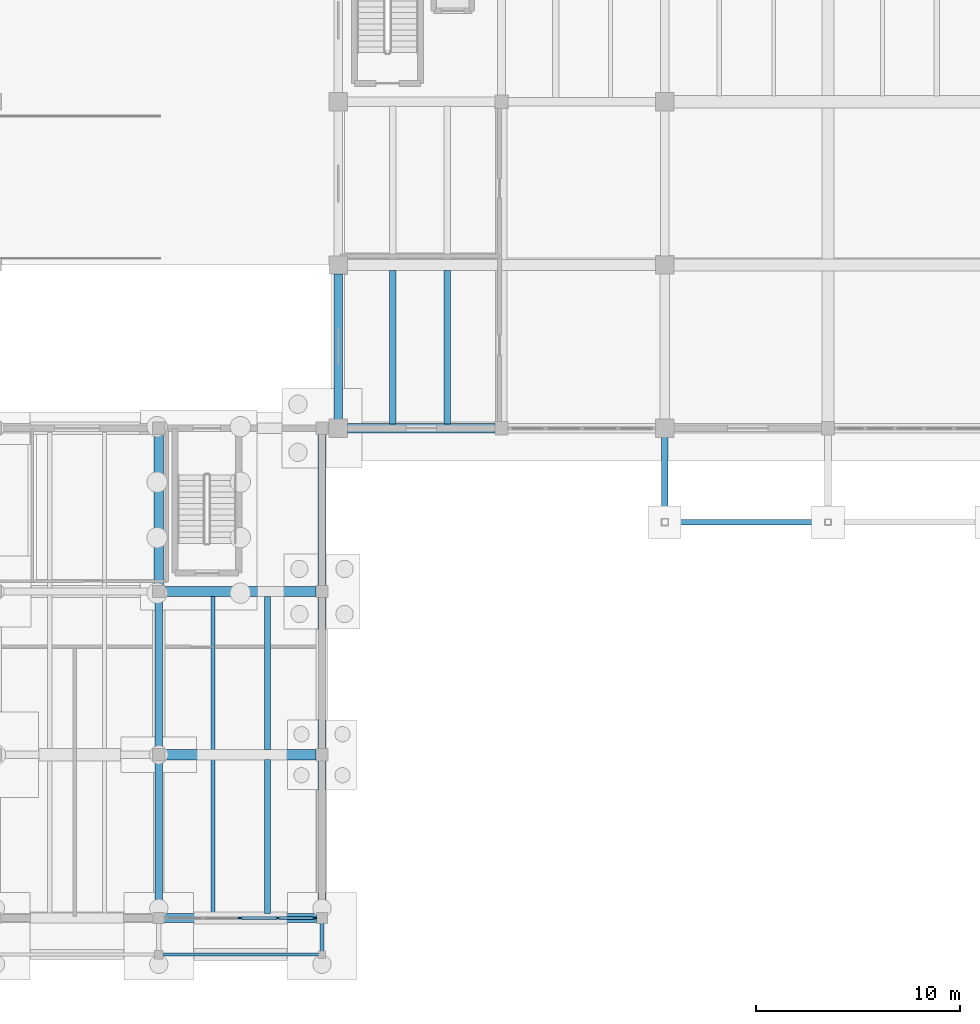
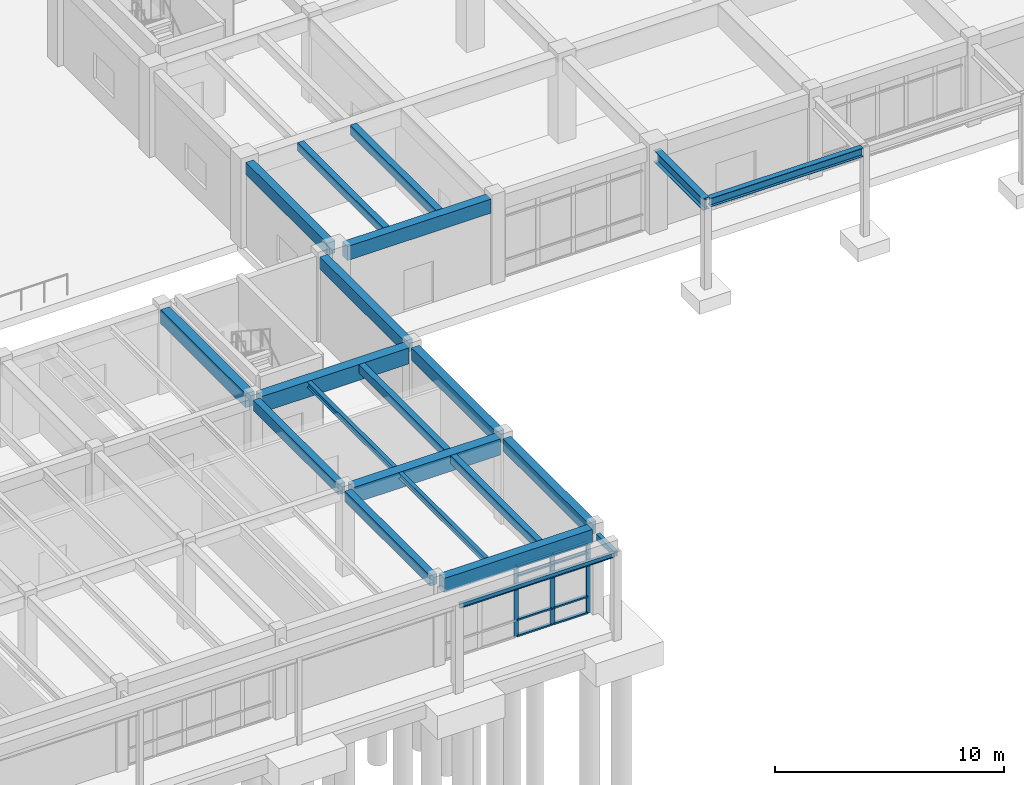
# One storey, part 16 of 64: 21 beams, 11 members, 1 element without a shape of its own.
"""IFC4 building model written with IfcOpenShell, lengths in metres."""

from ifc_helpers import new_model, si_unit, direction, frame, origin, origin_2d, place, context, subcontext, project, spatial, rectangle, hollow_rectangle, i_section, extrude, material, material_profile, profile_set, type_object, element, aggregate, save


model = new_model("IFC4")

# Units and contexts
model_context = context("Model", 3, precision=1e-05, world=origin(), true_north=direction((0.0, 1.0)))
body_context = subcontext(model_context, "Body", "Model", "MODEL_VIEW")
ifc_project = project(units=[si_unit("LENGTHUNIT", "METRE"), si_unit("AREAUNIT", "SQUARE_METRE"), si_unit("VOLUMEUNIT", "CUBIC_METRE"), si_unit("PLANEANGLEUNIT", "RADIAN"), si_unit("MASSUNIT", "GRAM", prefix="KILO")], contexts=[model_context])

# Site, building, storey
site_placement = place(None, origin())
site = spatial("IfcSite", under=ifc_project, at=site_placement, CompositionType="ELEMENT")
building_placement = place(site_placement, origin())
building = spatial("IfcBuilding", under=site, at=building_placement, Name="Tlaxcora Railside Police Headquarters", CompositionType="ELEMENT")
storey_placement = place(building_placement, origin())
storey = spatial("IfcBuildingStorey", under=building, at=storey_placement, Name="L00", CompositionType="ELEMENT", Elevation=0.0)

# Curtain wall, members
ifc_material_1 = material(Name="Thermally broken low-E insulated glazing", Category="glass")
curtain_wall_type = type_object("IfcCurtainWallType", Name="Unitised Curtain Wall Assembly CW-83", PredefinedType="NOTDEFINED", material=ifc_material_1)
curtain_wall_placement = place(storey_placement, origin())
curtain_wall = element("IfcCurtainWall", 1, at=curtain_wall_placement, inside=storey, type_object=curtain_wall_type, Name="V4 L00 curtain wall 23", PredefinedType="NOTDEFINED")
ifc_material_2 = material(Name="Anodised aluminium framing", Category="aluminium")
ifc_material_profile_1 = material_profile(ifc_material_2, rectangle(XDim=0.080078125, YDim=0.2099609375, at=origin_2d()), Name="AL80X210")
ifc_profile_set_1 = profile_set([ifc_material_profile_1], Name="Anodised aluminium framing")
member_type_1 = type_object("IfcMemberType", Name="Curtain Wall Mullion CW-76", PredefinedType="MULLION", material=ifc_profile_set_1)
member_1_placement = place(storey_placement, frame((41.199951171875, 12.0, 0.0), z_axis=(0.0, 0.0, 1.0), x_axis=(0.0, 1.0, 0.0)))
member_1 = element("IfcMember", 2, at=member_1_placement, type_object=member_type_1, Name="CW mullion 3", PredefinedType="MULLION", context=body_context, shape_type="SweptSolid", body=[
    extrude(rectangle(XDim=0.080078125, YDim=0.2099609375, at=origin_2d()), origin(), (0.0, 0.0, 1.0), 3.760009765625),
])
member_2_placement = place(storey_placement, frame((43.03759765625, 12.0, 0.0), z_axis=(0.0, 0.0, 1.0), x_axis=(0.0, 1.0, 0.0)))
member_2 = element("IfcMember", 3, at=member_2_placement, type_object=member_type_1, Name="CW mullion 4", PredefinedType="MULLION", context=body_context, shape_type="SweptSolid", body=[
    extrude(rectangle(XDim=0.080078125, YDim=0.2099609375, at=origin_2d()), origin(), (0.0, 0.0, 1.0), 3.760009765625),
])
member_3_placement = place(storey_placement, frame((44.8349609375, 12.0, 0.0), z_axis=(0.0, 0.0, 1.0), x_axis=(0.0, 1.0, 0.0)))
member_3 = element("IfcMember", 4, at=member_3_placement, type_object=member_type_1, Name="CW mullion 5", PredefinedType="MULLION", context=body_context, shape_type="SweptSolid", body=[
    extrude(rectangle(XDim=0.080078125, YDim=0.2099609375, at=origin_2d()), origin(), (0.0, 0.0, 1.0), 3.760009765625),
])
ifc_material_profile_2 = material_profile(ifc_material_2, rectangle(XDim=0.159912109375, YDim=0.080078125, at=origin_2d()), Name="AL80X160")
ifc_profile_set_2 = profile_set([ifc_material_profile_2], Name="Anodised aluminium framing")
member_type_2 = type_object("IfcMemberType", Name="Curtain Wall Transom CW-82", PredefinedType="USERDEFINED", material=ifc_profile_set_2)
member_4_placement = place(storey_placement, frame((41.239990234375, 12.0, 0.0400390625), z_axis=(1.0, 0.0, 0.0), x_axis=(0.0, 1.0, 0.0)))
member_4 = element("IfcMember", 5, at=member_4_placement, type_object=member_type_2, Name="CW transom 3.1", ObjectType="TRANSOM", PredefinedType="USERDEFINED", context=body_context, shape_type="SweptSolid", body=[
    extrude(rectangle(XDim=0.159912109375, YDim=0.080078125, at=origin_2d()), origin(), (0.0, 0.0, 1.0), 1.757568359375),
])
member_5_placement = place(storey_placement, frame((41.239990234375, 12.0, 0.89990234375), z_axis=(1.0, 0.0, 0.0), x_axis=(0.0, 1.0, 0.0)))
member_5 = element("IfcMember", 6, at=member_5_placement, type_object=member_type_2, Name="CW transom 3.2", ObjectType="TRANSOM", PredefinedType="USERDEFINED", context=body_context, shape_type="SweptSolid", body=[
    extrude(rectangle(XDim=0.159912109375, YDim=0.080078125, at=origin_2d()), origin(), (0.0, 0.0, 1.0), 1.757568359375),
])
member_6_placement = place(storey_placement, frame((41.239990234375, 12.0, 3.22998046875), z_axis=(1.0, 0.0, 0.0), x_axis=(0.0, 1.0, 0.0)))
member_6 = element("IfcMember", 7, at=member_6_placement, type_object=member_type_2, Name="CW transom 3.3", ObjectType="TRANSOM", PredefinedType="USERDEFINED", context=body_context, shape_type="SweptSolid", body=[
    extrude(rectangle(XDim=0.159912109375, YDim=0.080078125, at=origin_2d()), origin(), (0.0, 0.0, 1.0), 1.757568359375),
])
member_7_placement = place(storey_placement, frame((41.239990234375, 12.0, 3.719970703125), z_axis=(1.0, 0.0, 0.0), x_axis=(0.0, 1.0, 0.0)))
member_7 = element("IfcMember", 8, at=member_7_placement, type_object=member_type_2, Name="CW transom 3.4", ObjectType="TRANSOM", PredefinedType="USERDEFINED", context=body_context, shape_type="SweptSolid", body=[
    extrude(rectangle(XDim=0.159912109375, YDim=0.080078125, at=origin_2d()), origin(), (0.0, 0.0, 1.0), 1.757568359375),
])
member_8_placement = place(storey_placement, frame((43.077392578125, 12.0, 0.0400390625), z_axis=(1.0, 0.0, 0.0), x_axis=(0.0, 1.0, 0.0)))
member_8 = element("IfcMember", 9, at=member_8_placement, type_object=member_type_2, Name="CW transom 4.1", ObjectType="TRANSOM", PredefinedType="USERDEFINED", context=body_context, shape_type="SweptSolid", body=[
    extrude(rectangle(XDim=0.159912109375, YDim=0.080078125, at=origin_2d()), origin(), (0.0, 0.0, 1.0), 1.717529296875),
])
member_9_placement = place(storey_placement, frame((43.077392578125, 12.0, 0.89990234375), z_axis=(1.0, 0.0, 0.0), x_axis=(0.0, 1.0, 0.0)))
member_9 = element("IfcMember", 10, at=member_9_placement, type_object=member_type_2, Name="CW transom 4.2", ObjectType="TRANSOM", PredefinedType="USERDEFINED", context=body_context, shape_type="SweptSolid", body=[
    extrude(rectangle(XDim=0.159912109375, YDim=0.080078125, at=origin_2d()), origin(), (0.0, 0.0, 1.0), 1.717529296875),
])
member_10_placement = place(storey_placement, frame((43.077392578125, 12.0, 3.22998046875), z_axis=(1.0, 0.0, 0.0), x_axis=(0.0, 1.0, 0.0)))
member_10 = element("IfcMember", 11, at=member_10_placement, type_object=member_type_2, Name="CW transom 4.3", ObjectType="TRANSOM", PredefinedType="USERDEFINED", context=body_context, shape_type="SweptSolid", body=[
    extrude(rectangle(XDim=0.159912109375, YDim=0.080078125, at=origin_2d()), origin(), (0.0, 0.0, 1.0), 1.717529296875),
])
member_11_placement = place(storey_placement, frame((43.077392578125, 12.0, 3.719970703125), z_axis=(1.0, 0.0, 0.0), x_axis=(0.0, 1.0, 0.0)))
member_11 = element("IfcMember", 12, at=member_11_placement, type_object=member_type_2, Name="CW transom 4.4", ObjectType="TRANSOM", PredefinedType="USERDEFINED", context=body_context, shape_type="SweptSolid", body=[
    extrude(rectangle(XDim=0.159912109375, YDim=0.080078125, at=origin_2d()), origin(), (0.0, 0.0, 1.0), 1.717529296875),
])
aggregate(curtain_wall, [member_1, member_2, member_3, member_4, member_5, member_6, member_7, member_8, member_9, member_10, member_11])

# Beams
ifc_material_3 = material(Name="Steel ASTM A992 Grade 50", Category="steel")
ifc_material_profile_3 = material_profile(ifc_material_3, i_section(OverallWidth=0.14599609375, OverallDepth=0.258056640625, WebThickness=0.006103515625, FlangeThickness=0.009033203125, at=origin_2d()), Name="W10X22")
ifc_profile_set_3 = profile_set([ifc_material_profile_3], Name="Steel ASTM A992 Grade 50")
beam_type_1 = type_object("IfcBeamType", Name="Opening Lintel Beam BM-36", PredefinedType="LINTEL", material=ifc_profile_set_3)
beam_1_placement = place(storey_placement, frame((37.300048828125, 10.199951171875, 4.10009765625), z_axis=(1.0, 0.0, 0.0), x_axis=(0.0, 1.0, 0.0)))
element("IfcBeam", 13, at=beam_1_placement, inside=storey, type_object=beam_type_1, Name="Forecourt loggia lintel X=37.2..45.2", PredefinedType="LINTEL", context=body_context, shape_type="SweptSolid", body=[
    extrude(i_section(OverallWidth=0.14599609375, OverallDepth=0.258056640625, WebThickness=0.006103515625, FlangeThickness=0.009033203125, at=origin_2d()), origin(), (0.0, 0.0, 1.0), 7.800048828125),
])
ifc_material_profile_4 = material_profile(ifc_material_3, hollow_rectangle(XDim=0.199951171875, YDim=0.300048828125, WallThickness=0.010009765625, at=origin_2d()), Name="HSS300X200X10")
ifc_profile_set_4 = profile_set([ifc_material_profile_4], Name="Steel ASTM A992 Grade 50")
beam_type_2 = type_object("IfcBeamType", Name="Opening Lintel Beam BM-74", PredefinedType="LINTEL", material=ifc_profile_set_4)
beam_2_placement = place(storey_placement, frame((45.199951171875, 10.199951171875, 4.10009765625), z_axis=(0.0, 1.0, 0.0), x_axis=(-1.0, 0.0, 0.0)))
element("IfcBeam", 14, at=beam_2_placement, inside=storey, type_object=beam_type_2, Name="Forecourt loggia tie beam X=45.2", PredefinedType="LINTEL", context=body_context, shape_type="SweptSolid", body=[
    extrude(hollow_rectangle(XDim=0.199951171875, YDim=0.300048828125, WallThickness=0.010009765625, at=origin_2d()), origin(), (0.0, 0.0, 1.0), 1.550048828125),
])
ifc_material_profile_5 = material_profile(ifc_material_3, i_section(OverallWidth=0.280029296875, OverallDepth=0.4619140625, WebThickness=0.0107421875, FlangeThickness=0.017333984375, at=origin_2d()), Name="W18X76")
ifc_profile_set_5 = profile_set([ifc_material_profile_5], Name="Steel ASTM A992 Grade 50")
beam_type_3 = type_object("IfcBeamType", Name="Perimeter Spandrel Beam BM-33", PredefinedType="SPANDREL", material=ifc_profile_set_5)
beam_3_placement = place(storey_placement, frame((62.14990234375, 31.39990234375, 4.10009765625), z_axis=(1.0, 0.0, 0.0), x_axis=(0.0, 1.0, 0.0)))
element("IfcBeam", 15, at=beam_3_placement, inside=storey, type_object=beam_type_3, Name="Canopy edge girder X=62..70", PredefinedType="SPANDREL", context=body_context, shape_type="SweptSolid", body=[
    extrude(i_section(OverallWidth=0.280029296875, OverallDepth=0.4619140625, WebThickness=0.0107421875, FlangeThickness=0.017333984375, at=origin_2d()), origin(), (0.0, 0.0, 1.0), 7.7001953125),
])
ifc_material_4 = material(Name="Concrete C40/50", Category="concrete")
ifc_material_profile_6 = material_profile(ifc_material_4, rectangle(XDim=0.39990234375, YDim=0.64990234375, at=origin_2d()), Name="RC400X650")
ifc_profile_set_6 = profile_set([ifc_material_profile_6], Name="Concrete C40/50")
beam_type_4 = type_object("IfcBeamType", Name="Perimeter Spandrel Beam BM-46", PredefinedType="SPANDREL", material=ifc_profile_set_6)
beam_4_placement = place(storey_placement, frame((46.0, 36.43994140625, 4.205078125), z_axis=(0.0, 1.0, 0.0), x_axis=(-1.0, 0.0, 0.0)))
element("IfcBeam", 16, at=beam_4_placement, inside=storey, type_object=beam_type_4, Name="V1 L00 Y-girder X=46.0", PredefinedType="SPANDREL", context=body_context, shape_type="SweptSolid", body=[
    extrude(rectangle(XDim=0.39990234375, YDim=0.64990234375, at=origin_2d()), origin(), (0.0, 0.0, 1.0), 7.1201171875),
])
beam_5_placement = place(storey_placement, frame((45.199951171875, 12.264892578125, 4.205078125), z_axis=(0.0, 1.0, 0.0), x_axis=(-1.0, 0.0, 0.0)))
element("IfcBeam", 17, at=beam_5_placement, inside=storey, type_object=beam_type_4, Name="V4 L00 Y-girder X=45.2", PredefinedType="SPANDREL", context=body_context, shape_type="SweptSolid", body=[
    extrude(rectangle(XDim=0.39990234375, YDim=0.64990234375, at=origin_2d()), origin(), (0.0, 0.0, 1.0), 7.445068359375),
])
for number, where, z_axis, x_axis, name in (
    (18, (45.199951171875, 20.2900390625, 4.205078125), (0.0, 1.0, 0.0), (-1.0, 0.0, 0.0), "V4 L00 Y-girder X=45.2"),
    (19, (45.199951171875, 28.2900390625, 4.205078125), (0.0, 1.0, 0.0), (-1.0, 0.0, 0.0), "V4 L00 Y-girder X=45.2"),
):
    element("IfcBeam", number, at=place(storey_placement, frame(where, z_axis=z_axis, x_axis=x_axis)), inside=storey, type_object=beam_type_4, Name=name, PredefinedType="SPANDREL", context=body_context, shape_type="SweptSolid", body=[
        extrude(rectangle(XDim=0.39990234375, YDim=0.64990234375, at=origin_2d()), origin(), (0.0, 0.0, 1.0), 7.419921875),
    ])
ifc_material_profile_7 = material_profile(ifc_material_4, rectangle(XDim=0.449951171875, YDim=0.75, at=origin_2d()), Name="RC450X750")
ifc_profile_set_7 = profile_set([ifc_material_profile_7], Name="Concrete C40/50")
beam_type_5 = type_object("IfcBeamType", Name="Perimeter Spandrel Beam BM-86", PredefinedType="SPANDREL", material=ifc_profile_set_7)
beam_6_placement = place(storey_placement, frame((46.43994140625, 36.0, 4.155029296875), z_axis=(1.0, 0.0, 0.0), x_axis=(0.0, 1.0, 0.0)))
element("IfcBeam", 20, at=beam_6_placement, inside=storey, type_object=beam_type_5, Name="V1 L00 X-girder Y=36.0", PredefinedType="SPANDREL", context=body_context, shape_type="SweptSolid", body=[
    extrude(rectangle(XDim=0.449951171875, YDim=0.75, at=origin_2d()), origin(), (0.0, 0.0, 1.0), 7.2451171875),
])
beam_7_placement = place(storey_placement, frame((37.465087890625, 12.0, 4.155029296875), z_axis=(1.0, 0.0, 0.0), x_axis=(0.0, 1.0, 0.0)))
element("IfcBeam", 21, at=beam_7_placement, inside=storey, type_object=beam_type_5, Name="V4 L00 X-girder Y=12.0", PredefinedType="SPANDREL", context=body_context, shape_type="SweptSolid", body=[
    extrude(rectangle(XDim=0.449951171875, YDim=0.75, at=origin_2d()), origin(), (0.0, 0.0, 1.0), 7.469970703125),
])
ifc_material_profile_8 = material_profile(ifc_material_4, rectangle(XDim=0.35009765625, YDim=0.550048828125, at=origin_2d()), Name="RC350X550")
ifc_profile_set_8 = profile_set([ifc_material_profile_8], Name="Concrete C40/50")
beam_type_6 = type_object("IfcBeamType", Name="Primary Frame Girder BM-39", PredefinedType="BEAM", material=ifc_profile_set_8)
beam_8_placement = place(storey_placement, frame((37.199951171875, 12.264892578125, 4.2548828125), z_axis=(0.0, 1.0, 0.0), x_axis=(-1.0, 0.0, 0.0)))
element("IfcBeam", 22, at=beam_8_placement, inside=storey, type_object=beam_type_6, Name="V4 L00 Y-girder X=37.2", PredefinedType="BEAM", context=body_context, shape_type="SweptSolid", body=[
    extrude(rectangle(XDim=0.35009765625, YDim=0.550048828125, at=origin_2d()), origin(), (0.0, 0.0, 1.0), 7.445068359375),
])
beam_9_placement = place(storey_placement, frame((37.199951171875, 20.2900390625, 4.2548828125), z_axis=(0.0, 1.0, 0.0), x_axis=(-1.0, 0.0, 0.0)))
element("IfcBeam", 23, at=beam_9_placement, inside=storey, type_object=beam_type_6, Name="V4 L00 Y-girder X=37.2", PredefinedType="BEAM", context=body_context, shape_type="SweptSolid", body=[
    extrude(rectangle(XDim=0.35009765625, YDim=0.550048828125, at=origin_2d()), origin(), (0.0, 0.0, 1.0), 7.419921875),
])
ifc_material_profile_9 = material_profile(ifc_material_4, rectangle(XDim=0.5, YDim=0.85009765625, at=origin_2d()), Name="RC500X850")
ifc_profile_set_9 = profile_set([ifc_material_profile_9], Name="Concrete C40/50")
beam_type_7 = type_object("IfcBeamType", Name="Primary Frame Girder BM-64", PredefinedType="BEAM", material=ifc_profile_set_9)
for number, where, z_axis, x_axis, name in (
    (24, (37.489990234375, 20.0, 4.10498046875), (1.0, 0.0, 0.0), (0.0, 1.0, 0.0), "V4 L00 X-girder Y=20.0"),
    (25, (37.489990234375, 28.0, 4.10498046875), (1.0, 0.0, 0.0), (0.0, 1.0, 0.0), "V4 L00 X-girder Y=28.0"),
):
    element("IfcBeam", number, at=place(storey_placement, frame(where, z_axis=z_axis, x_axis=x_axis)), inside=storey, type_object=beam_type_7, Name=name, PredefinedType="BEAM", context=body_context, shape_type="SweptSolid", body=[
        extrude(rectangle(XDim=0.5, YDim=0.85009765625, at=origin_2d()), origin(), (0.0, 0.0, 1.0), 7.419921875),
    ])
ifc_material_profile_10 = material_profile(ifc_material_3, i_section(OverallWidth=0.324951171875, OverallDepth=0.616943359375, WebThickness=0.013916015625, FlangeThickness=0.021484375, at=origin_2d()), Name="W24X117")
ifc_profile_set_10 = profile_set([ifc_material_profile_10], Name="Steel ASTM A992 Grade 50")
beam_type_8 = type_object("IfcBeamType", Name="Primary Frame Girder BM-72", PredefinedType="BEAM", material=ifc_profile_set_10)
beam_10_placement = place(storey_placement, frame((62.0, 31.39990234375, 4.02001953125), z_axis=(0.0, 1.0, 0.0), x_axis=(-1.0, 0.0, 0.0)))
element("IfcBeam", 26, at=beam_10_placement, inside=storey, type_object=beam_type_8, Name="Canopy outrigger girder X=62", PredefinedType="BEAM", context=body_context, shape_type="SweptSolid", body=[
    extrude(i_section(OverallWidth=0.324951171875, OverallDepth=0.616943359375, WebThickness=0.013916015625, FlangeThickness=0.021484375, at=origin_2d()), origin(), (0.0, 0.0, 1.0), 4.300048828125),
])
ifc_material_profile_11 = material_profile(ifc_material_4, rectangle(XDim=0.449951171875, YDim=0.75, at=origin_2d()), Name="RC450X750")
ifc_profile_set_11 = profile_set([ifc_material_profile_11], Name="Concrete C40/50")
beam_type_9 = type_object("IfcBeamType", Name="Primary Frame Girder BM-73", PredefinedType="BEAM", material=ifc_profile_set_11)
beam_11_placement = place(storey_placement, frame((37.199951171875, 28.2900390625, 4.155029296875), z_axis=(0.0, 1.0, 0.0), x_axis=(-1.0, 0.0, 0.0)))
element("IfcBeam", 27, at=beam_11_placement, inside=storey, type_object=beam_type_9, Name="V4 L00 Y-girder X=37.2", PredefinedType="BEAM", context=body_context, shape_type="SweptSolid", body=[
    extrude(rectangle(XDim=0.449951171875, YDim=0.75, at=origin_2d()), origin(), (0.0, 0.0, 1.0), 7.419921875),
])
ifc_material_5 = material(Name="Concrete C35/45", Category="concrete")
ifc_material_profile_12 = material_profile(ifc_material_5, rectangle(XDim=0.300048828125, YDim=0.449951171875, at=origin_2d()), Name="RC300X450")
ifc_profile_set_12 = profile_set([ifc_material_profile_12], Name="Concrete C35/45")
beam_type_10 = type_object("IfcBeamType", Name="Secondary Floor Joist BM-27", PredefinedType="JOIST", material=ifc_profile_set_12)
beam_12_placement = place(storey_placement, frame((48.666748046875, 36.217041015625, 4.304931640625), z_axis=(0.0, 1.0, 0.0), x_axis=(-1.0, 0.0, 0.0)))
element("IfcBeam", 28, at=beam_12_placement, inside=storey, type_object=beam_type_10, Name="V1 L00 floor joist X=48.67", PredefinedType="JOIST", context=body_context, shape_type="SweptSolid", body=[
    extrude(rectangle(XDim=0.300048828125, YDim=0.449951171875, at=origin_2d()), origin(), (0.0, 0.0, 1.0), 7.515869140625),
])
beam_13_placement = place(storey_placement, frame((42.533203125, 12.217041015625, 4.304931640625), z_axis=(0.0, 1.0, 0.0), x_axis=(-1.0, 0.0, 0.0)))
element("IfcBeam", 29, at=beam_13_placement, inside=storey, type_object=beam_type_10, Name="V4 L00 floor joist X=42.53", PredefinedType="JOIST", context=body_context, shape_type="SweptSolid", body=[
    extrude(rectangle(XDim=0.300048828125, YDim=0.449951171875, at=origin_2d()), origin(), (0.0, 0.0, 1.0), 7.541015625),
])
beam_14_placement = place(storey_placement, frame((42.533203125, 20.241943359375, 4.304931640625), z_axis=(0.0, 1.0, 0.0), x_axis=(-1.0, 0.0, 0.0)))
element("IfcBeam", 30, at=beam_14_placement, inside=storey, type_object=beam_type_10, Name="V4 L00 floor joist X=42.53", PredefinedType="JOIST", context=body_context, shape_type="SweptSolid", body=[
    extrude(rectangle(XDim=0.300048828125, YDim=0.449951171875, at=origin_2d()), origin(), (0.0, 0.0, 1.0), 7.51611328125),
])
ifc_material_profile_13 = material_profile(ifc_material_5, rectangle(XDim=0.320068359375, YDim=0.5, at=origin_2d()), Name="RC320X500")
ifc_profile_set_13 = profile_set([ifc_material_profile_13], Name="Concrete C35/45")
beam_type_11 = type_object("IfcBeamType", Name="Secondary Floor Joist BM-88", PredefinedType="JOIST", material=ifc_profile_set_13)
beam_15_placement = place(storey_placement, frame((51.333251953125, 36.217041015625, 4.280029296875), z_axis=(0.0, 1.0, 0.0), x_axis=(-1.0, 0.0, 0.0)))
element("IfcBeam", 31, at=beam_15_placement, inside=storey, type_object=beam_type_11, Name="V1 L00 floor joist X=51.33", PredefinedType="JOIST", context=body_context, shape_type="SweptSolid", body=[
    extrude(rectangle(XDim=0.320068359375, YDim=0.5, at=origin_2d()), origin(), (0.0, 0.0, 1.0), 7.515869140625),
])
ifc_material_profile_14 = material_profile(ifc_material_3, i_section(OverallWidth=0.202880859375, OverallDepth=0.302978515625, WebThickness=0.007568359375, FlangeThickness=0.01318359375, at=origin_2d()), Name="W12X40")
ifc_profile_set_14 = profile_set([ifc_material_profile_14], Name="Steel ASTM A992 Grade 50")
beam_type_12 = type_object("IfcBeamType", Name="Secondary Floor Joist BM-96", PredefinedType="JOIST", material=ifc_profile_set_14)
beam_16_placement = place(storey_placement, frame((39.86669921875, 12.217041015625, 4.37841796875), z_axis=(0.0, 1.0, 0.0), x_axis=(-1.0, 0.0, 0.0)))
element("IfcBeam", 32, at=beam_16_placement, inside=storey, type_object=beam_type_12, Name="V4 L00 floor joist X=39.87", PredefinedType="JOIST", context=body_context, shape_type="SweptSolid", body=[
    extrude(i_section(OverallWidth=0.202880859375, OverallDepth=0.302978515625, WebThickness=0.007568359375, FlangeThickness=0.01318359375, at=origin_2d()), origin(), (0.0, 0.0, 1.0), 7.541015625),
])
beam_17_placement = place(storey_placement, frame((39.86669921875, 20.241943359375, 4.37841796875), z_axis=(0.0, 1.0, 0.0), x_axis=(-1.0, 0.0, 0.0)))
element("IfcBeam", 33, at=beam_17_placement, inside=storey, type_object=beam_type_12, Name="V4 L00 floor joist X=39.87", PredefinedType="JOIST", context=body_context, shape_type="SweptSolid", body=[
    extrude(i_section(OverallWidth=0.202880859375, OverallDepth=0.302978515625, WebThickness=0.007568359375, FlangeThickness=0.01318359375, at=origin_2d()), origin(), (0.0, 0.0, 1.0), 7.51611328125),
])

save(model, "model.ifc")
